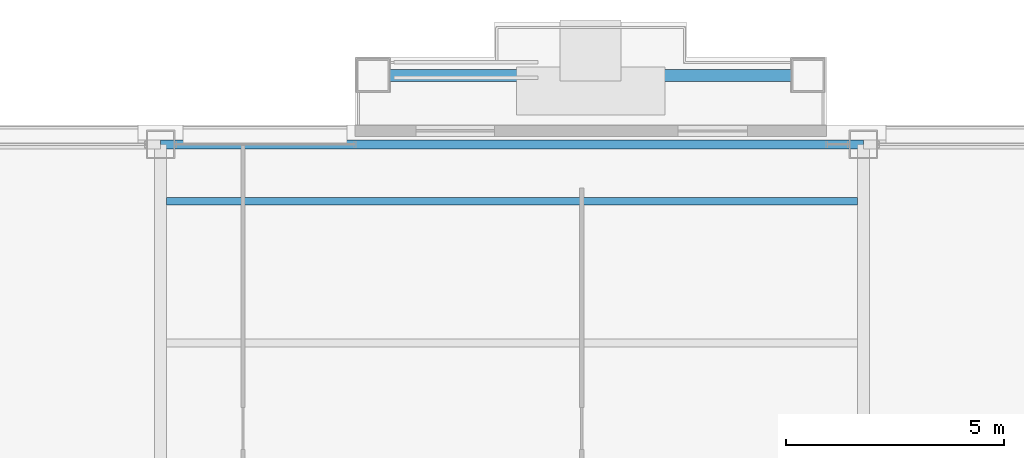
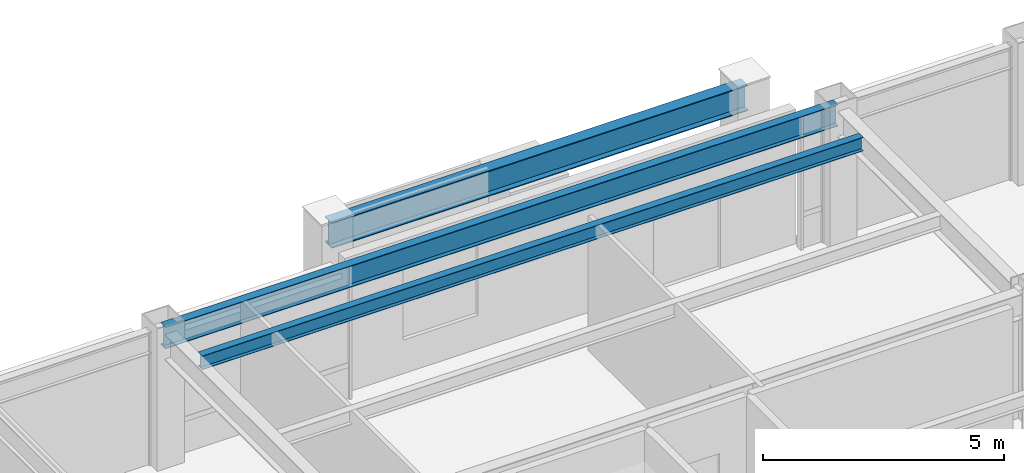
# One storey, part 15 of 23: 3 beams.
"""IFC4 building model written with IfcOpenShell, lengths in metres."""

from ifc_helpers import new_model, si_unit, direction, frame, origin, origin_2d, place, context, subcontext, project, spatial, i_section, extrude, material, material_profile, profile_set, type_object, element, save


model = new_model("IFC4")

# Units and contexts
model_context = context("Model", 3, precision=1e-05, world=origin(), true_north=direction((0.0, 1.0)))
body_context = subcontext(model_context, "Body", "Model", "MODEL_VIEW")
ifc_project = project(units=[si_unit("LENGTHUNIT", "METRE"), si_unit("AREAUNIT", "SQUARE_METRE"), si_unit("VOLUMEUNIT", "CUBIC_METRE"), si_unit("PLANEANGLEUNIT", "RADIAN"), si_unit("MASSUNIT", "GRAM", prefix="KILO")], contexts=[model_context])

# Site, building, storey
site_placement = place(None, origin())
site = spatial("IfcSite", under=ifc_project, at=site_placement, CompositionType="ELEMENT")
building_placement = place(site_placement, origin())
building = spatial("IfcBuilding", under=site, at=building_placement, Name="Brelmoor Portico Tower", CompositionType="ELEMENT")
storey_placement = place(building_placement, frame((0.0, 0.0, 222.0)))
storey = spatial("IfcBuildingStorey", under=building, at=storey_placement, Name="L58", CompositionType="ELEMENT", Elevation=222.0)

# Beams
ifc_material = material(Name="Steel Q355B", Category="steel")
ifc_material_profile_1 = material_profile(ifc_material, i_section(OverallWidth=0.175048828125, OverallDepth=0.35009765625, WebThickness=0.007080078125, FlangeThickness=0.010986328125, at=origin_2d()), Name="HN 350x175x7x11")
ifc_profile_set_1 = profile_set([ifc_material_profile_1], Name="Steel Q355B")
beam_type_1 = type_object("IfcBeamType", Name="BM-JS-350", PredefinedType="JOIST", material=ifc_profile_set_1)
beam_1_placement = place(storey_placement, frame((-7.909912109375, 16.25, 3.22509765625), z_axis=(1.0, 0.0, 0.0), x_axis=(0.0, 1.0, 0.0)))
element("IfcBeam", 1, at=beam_1_placement, inside=storey, type_object=beam_type_1, Name="L58 Secondary Composite Joist JS-C06", PredefinedType="JOIST", context=body_context, shape_type="SweptSolid", body=[
    extrude(i_section(OverallWidth=0.175048828125, OverallDepth=0.35009765625, WebThickness=0.007080078125, FlangeThickness=0.010986328125, at=origin_2d()), origin(), (0.0, 0.0, 1.0), 15.81982421875),
])
ifc_material_profile_2 = material_profile(ifc_material, i_section(OverallWidth=0.199951171875, OverallDepth=0.550048828125, WebThickness=0.010009765625, FlangeThickness=0.01611328125, at=origin_2d()), Name="HN 550x200x10x16")
ifc_profile_set_2 = profile_set([ifc_material_profile_2], Name="Steel Q355B")
beam_type_2 = type_object("IfcBeamType", Name="BM-SP-550", PredefinedType="SPANDREL", material=ifc_profile_set_2)
beam_2_placement = place(storey_placement, frame((-8.050048828125, 17.550048828125, 3.125), z_axis=(1.0, 0.0, 0.0), x_axis=(0.0, 1.0, 0.0)))
element("IfcBeam", 2, at=beam_2_placement, inside=storey, type_object=beam_type_2, Name="L58 Perimeter Spandrel Beam SP-09", PredefinedType="SPANDREL", context=body_context, shape_type="SweptSolid", body=[
    extrude(i_section(OverallWidth=0.199951171875, OverallDepth=0.550048828125, WebThickness=0.010009765625, FlangeThickness=0.01611328125, at=origin_2d()), origin(), (0.0, 0.0, 1.0), 16.10009765625),
])
ifc_material_profile_3 = material_profile(ifc_material, i_section(OverallWidth=0.280029296875, OverallDepth=0.64990234375, WebThickness=0.012939453125, FlangeThickness=0.02197265625, at=origin_2d()), Name="HN 650x280x13x22")
ifc_profile_set_3 = profile_set([ifc_material_profile_3], Name="Steel Q355B")
beam_type_3 = type_object("IfcBeamType", Name="BM-SP-650", PredefinedType="SPANDREL", material=ifc_profile_set_3)
beam_3_placement = place(storey_placement, frame((-3.179931640625, 19.1298828125, 3.074951171875), z_axis=(1.0, 0.0, 0.0), x_axis=(0.0, 1.0, 0.0)))
element("IfcBeam", 3, at=beam_3_placement, inside=storey, type_object=beam_type_3, Name="L58 Picture-Frame Perimeter Lintel Beam N1", PredefinedType="SPANDREL", context=body_context, shape_type="SweptSolid", body=[
    extrude(i_section(OverallWidth=0.280029296875, OverallDepth=0.64990234375, WebThickness=0.012939453125, FlangeThickness=0.02197265625, at=origin_2d()), origin(), (0.0, 0.0, 1.0), 9.9599609375),
])

save(model, "model.ifc")
